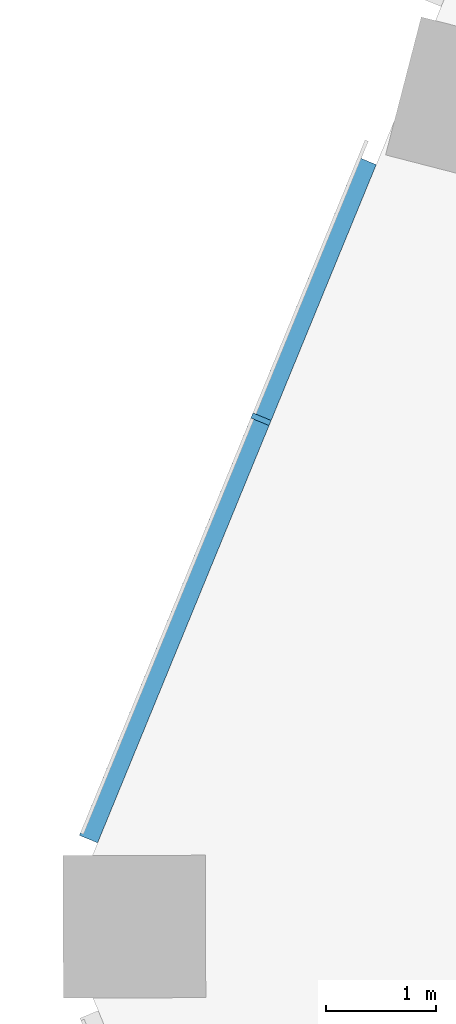
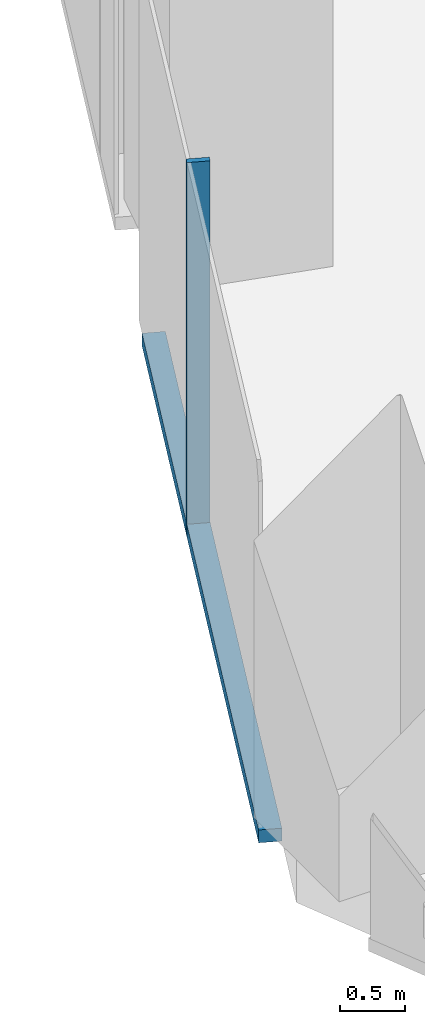
# One storey, part 8 of 34: 2 members, 1 element without a shape of its own.
"""IFC4 building model written with IfcOpenShell, lengths in metres."""

from ifc_helpers import new_model, si_unit, direction, frame, origin, origin_2d, place, context, subcontext, project, spatial, rectangle, extrude, material, material_profile, profile_set, type_object, element, aggregate, save


model = new_model("IFC4")

# Units and contexts
model_context = context("Model", 3, precision=1e-05, world=origin(), true_north=direction((0.0, 1.0)))
body_context = subcontext(model_context, "Body", "Model", "MODEL_VIEW")
ifc_project = project(units=[si_unit("LENGTHUNIT", "METRE"), si_unit("AREAUNIT", "SQUARE_METRE"), si_unit("VOLUMEUNIT", "CUBIC_METRE"), si_unit("PLANEANGLEUNIT", "RADIAN"), si_unit("MASSUNIT", "GRAM", prefix="KILO")], contexts=[model_context])

# Site, building, storey
site_placement = place(None, origin())
site = spatial("IfcSite", under=ifc_project, at=site_placement, CompositionType="ELEMENT")
building_placement = place(site_placement, origin())
building = spatial("IfcBuilding", under=site, at=building_placement, Name="Orlundy Tower", CompositionType="ELEMENT")
storey_placement = place(building_placement, frame((0.0, 0.0, 105.699951171875)))
storey = spatial("IfcBuildingStorey", under=building, at=storey_placement, Name="L26", CompositionType="ELEMENT", Elevation=105.699951171875)

# Curtain wall, members
ifc_material_1 = material(Name="Aluminium bronze anodised", Category="aluminium")
curtain_wall_type = type_object("IfcCurtainWallType", Name="CW1 wall", PredefinedType="NOTDEFINED", material=ifc_material_1)
curtain_wall_placement = place(storey_placement, origin())
curtain_wall = element("IfcCurtainWall", 1, at=curtain_wall_placement, inside=storey, type_object=curtain_wall_type, Name="CW1 run 014", PredefinedType="NOTDEFINED")
ifc_material_2 = material(Name="Aluminium bronze anodised", Category="aluminium")
ifc_material_profile_1 = material_profile(ifc_material_2, rectangle(XDim=0.179931640625, YDim=0.050048828125, at=origin_2d()), Name="CW1 mullion 50x180")
ifc_profile_set_1 = profile_set([ifc_material_profile_1], Name="Aluminium bronze anodised")
member_type_1 = type_object("IfcMemberType", Name="CW1 mullion 50x180", PredefinedType="MULLION", material=ifc_profile_set_1)
member_1_placement = place(storey_placement, frame((-30.66650390625, 4.537841796875, -0.39990234375), z_axis=(0.0, 0.0, 1.0), x_axis=(-0.924984462277, 0.380004927003, 0.0)))
member_1 = element("IfcMember", 2, at=member_1_placement, type_object=member_type_1, Name="CW1 mullion 35", PredefinedType="MULLION", context=body_context, shape_type="SweptSolid", body=[
    extrude(rectangle(XDim=0.179931640625, YDim=0.050048828125, at=origin_2d()), origin(), (0.0, 0.0, 1.0), 3.5),
])
ifc_material_3 = material(Name="Aluminium bronze anodised", Category="aluminium")
ifc_material_profile_2 = material_profile(ifc_material_3, rectangle(XDim=0.179931640625, YDim=0.1201171875, at=origin_2d()), Name="CW1 transom 180x120")
ifc_profile_set_2 = profile_set([ifc_material_profile_2], Name="Aluminium bronze anodised")
member_type_2 = type_object("IfcMemberType", Name="CW1 transom 180x120", PredefinedType="USERDEFINED", material=ifc_profile_set_2)
member_2_placement = place(storey_placement, frame((-32.24072265625, 0.705810546875, -0.33984375), z_axis=(0.380004698875, 0.924984555997, 0.0), x_axis=(-0.924984555997, 0.380004698875, 0.0)))
member_2 = element("IfcMember", 3, at=member_2_placement, type_object=member_type_2, Name="CW1 transom", ObjectType="TRANSOM", PredefinedType="USERDEFINED", context=body_context, shape_type="SweptSolid", body=[
    extrude(rectangle(XDim=0.179931640625, YDim=0.1201171875, at=origin_2d()), origin(), (0.0, 0.0, 1.0), 6.69189453125),
])
aggregate(curtain_wall, [member_1, member_2])

save(model, "model.ifc")
